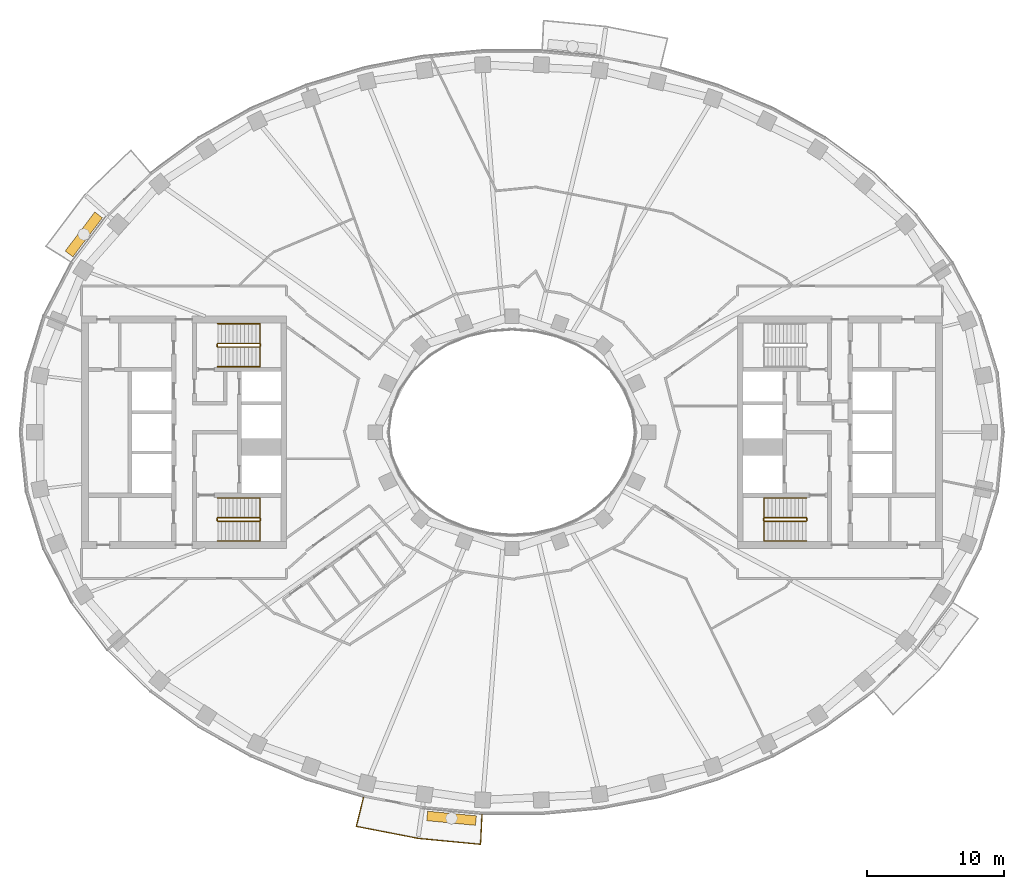
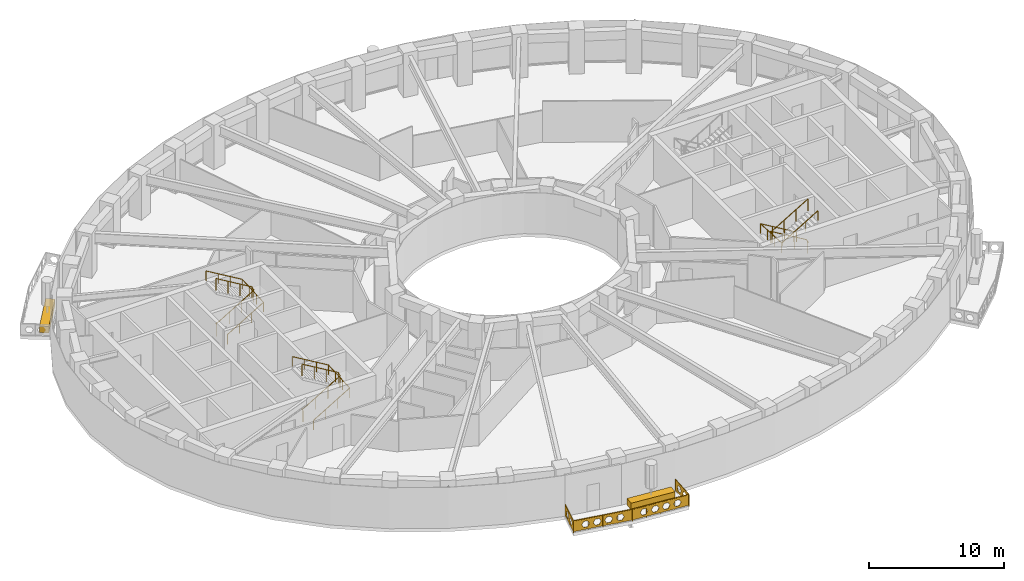
# One storey, part 14 of 16: 7 railings, 2 coverings.
"""IFC4 building model written with IfcOpenShell, lengths in metres."""

from ifc_helpers import new_model, si_unit, direction, frame, origin, origin_2d, place, context, subcontext, project, spatial, polyline, rectangle, outline, extrude, material, type_object, element, save


model = new_model("IFC4")

# Units and contexts
model_context = context("Model", 3, precision=1e-05, world=origin(), true_north=direction((0.0, 1.0)))
body_context = subcontext(model_context, "Body", "Model", "MODEL_VIEW")
ifc_project = project(units=[si_unit("LENGTHUNIT", "METRE"), si_unit("AREAUNIT", "SQUARE_METRE"), si_unit("VOLUMEUNIT", "CUBIC_METRE"), si_unit("PLANEANGLEUNIT", "RADIAN"), si_unit("MASSUNIT", "GRAM", prefix="KILO")], contexts=[model_context])

# Site, building, storey
site_placement = place(None, origin())
site = spatial("IfcSite", under=ifc_project, at=site_placement, CompositionType="ELEMENT")
building_placement = place(site_placement, origin())
building = spatial("IfcBuilding", under=site, at=building_placement, Name="Noorbagh Ring Tower", CompositionType="ELEMENT")
storey_placement = place(building_placement, frame((0.0, 0.0, 178.0)))
storey = spatial("IfcBuildingStorey", under=building, at=storey_placement, Name="L41", CompositionType="ELEMENT", Elevation=178.0)

# Railings
ifc_material_1 = material(Name="Stainless steel", Category="steel")
railing_type_1 = type_object("IfcRailingType", Name="CORE-STAIR-GUARD", PredefinedType="GUARDRAIL", material=ifc_material_1)
railing_1_placement = place(storey_placement, frame((-21.580078125, 6.300048828125, 0.0)))
element("IfcRailing", 1, at=railing_1_placement, inside=storey, type_object=railing_type_1, Name="L41 ST1 stair guard", PredefinedType="GUARDRAIL", context=body_context, shape_type="SweptSolid", body=[
    extrude(rectangle(XDim=0.048095703125, YDim=0.048095703125, at=origin_2d()), frame((0.0, 0.0, 1.076171875), z_axis=(0.0, 1.0, 0.0), x_axis=(-1.0, 0.0, 0.0)), (0.0, 0.0, 1.0), 0.14990234375),
    extrude(rectangle(XDim=0.048095703125, YDim=0.048095703125, at=origin_2d()), frame((0.0, 0.14990234375, 1.076171875), z_axis=(0.188775798145, -0.754182335027, 0.628945707965), x_axis=(0.970072785993, 0.242814311512, 0.0)), (0.0, 0.0, 1.0), 0.26513671875),
    extrude(rectangle(XDim=0.048095703125, YDim=0.048095703125, at=origin_2d()), frame((0.050048828125, -0.050048828125, 1.24267578125), z_axis=(0.859308565015, 0.0, 0.511457515432), x_axis=(0.0, 1.0, 0.0)), (0.0, 0.0, 1.0), 3.58447265625),
    extrude(rectangle(XDim=0.048095703125, YDim=0.048095703125, at=origin_2d()), frame((3.130126953125, -0.050048828125, 3.076171875), z_axis=(0.707106781187, 0.707106781187, 0.0), x_axis=(-0.707106781187, 0.707106781187, 0.0)), (0.0, 0.0, 1.0), 0.07080078125),
    extrude(rectangle(XDim=0.048095703125, YDim=0.048095703125, at=origin_2d()), frame((3.18017578125, 0.0, 3.076171875), z_axis=(0.0, 1.0, 0.0), x_axis=(-1.0, 0.0, 0.0)), (0.0, 0.0, 1.0), 0.14990234375),
    extrude(rectangle(XDim=0.048095703125, YDim=0.048095703125, at=origin_2d()), frame((3.18017578125, 0.14990234375, 3.076171875), z_axis=(-0.27628659633, 0.27628659633, 0.920506074601), x_axis=(-0.707106781187, -0.707106781187, 0.0)), (0.0, 0.0, 1.0), 0.18115234375),
    extrude(rectangle(XDim=0.048095703125, YDim=0.048095703125, at=origin_2d()), frame((3.130126953125, 0.199951171875, 3.24267578125), z_axis=(-0.859308565015, 0.0, 0.511457515432), x_axis=(0.0, -1.0, 0.0)), (0.0, 0.0, 1.0), 3.58447265625),
    extrude(rectangle(XDim=0.0419921875, YDim=0.0419921875, at=origin_2d()), origin(), (0.0, 0.0, 1.0), 1.052001953125),
    extrude(rectangle(XDim=0.0419921875, YDim=0.0419921875, at=origin_2d()), frame((1.07666015625, -0.050048828125, 0.77783203125)), (0.0, 0.0, 1.0), 1.052001953125),
    extrude(rectangle(XDim=0.0419921875, YDim=0.0419921875, at=origin_2d()), frame((2.103515625, -0.050048828125, 1.388916015625)), (0.0, 0.0, 1.0), 1.052001953125),
    extrude(rectangle(XDim=0.0419921875, YDim=0.0419921875, at=origin_2d()), frame((3.130126953125, -0.050048828125, 2.0)), (0.0, 0.0, 1.0), 1.052001953125),
    extrude(rectangle(XDim=0.0419921875, YDim=0.0419921875, at=origin_2d()), frame((3.130126953125, 0.199951171875, 2.166748046875)), (0.0, 0.0, 1.0), 1.052001953125),
    extrude(rectangle(XDim=0.0419921875, YDim=0.0419921875, at=origin_2d()), frame((2.103515625, 0.199951171875, 2.77783203125)), (0.0, 0.0, 1.0), 1.052001953125),
    extrude(rectangle(XDim=0.0419921875, YDim=0.0419921875, at=origin_2d()), frame((1.07666015625, 0.199951171875, 3.388916015625)), (0.0, 0.0, 1.0), 1.052001953125),
    extrude(rectangle(XDim=0.0419921875, YDim=0.0419921875, at=origin_2d()), frame((0.050048828125, 0.199951171875, 4.0)), (0.0, 0.0, 1.0), 1.052001953125),
])
railing_2_placement = place(storey_placement, frame((-21.580078125, -6.449951171875, 0.0)))
element("IfcRailing", 2, at=railing_2_placement, inside=storey, type_object=railing_type_1, Name="L41 ST2 stair guard", PredefinedType="GUARDRAIL", context=body_context, shape_type="SweptSolid", body=[
    extrude(rectangle(XDim=0.048095703125, YDim=0.048095703125, at=origin_2d()), frame((0.0, 0.0, 1.076171875), z_axis=(0.0, 1.0, 0.0), x_axis=(-1.0, 0.0, 0.0)), (0.0, 0.0, 1.0), 0.14990234375),
    extrude(rectangle(XDim=0.048095703125, YDim=0.048095703125, at=origin_2d()), frame((0.0, 0.14990234375, 1.076171875), z_axis=(0.188775798145, -0.754182335027, 0.628945707965), x_axis=(0.970072785993, 0.242814311512, 0.0)), (0.0, 0.0, 1.0), 0.26513671875),
    extrude(rectangle(XDim=0.048095703125, YDim=0.048095703125, at=origin_2d()), frame((0.050048828125, -0.050048828125, 1.24267578125), z_axis=(0.859308565015, 0.0, 0.511457515432), x_axis=(0.0, 1.0, 0.0)), (0.0, 0.0, 1.0), 3.58447265625),
    extrude(rectangle(XDim=0.048095703125, YDim=0.048095703125, at=origin_2d()), frame((3.130126953125, -0.050048828125, 3.076171875), z_axis=(0.707106781187, 0.707106781187, 0.0), x_axis=(-0.707106781187, 0.707106781187, 0.0)), (0.0, 0.0, 1.0), 0.07080078125),
    extrude(rectangle(XDim=0.048095703125, YDim=0.048095703125, at=origin_2d()), frame((3.18017578125, 0.0, 3.076171875), z_axis=(0.0, 1.0, 0.0), x_axis=(-1.0, 0.0, 0.0)), (0.0, 0.0, 1.0), 0.14990234375),
    extrude(rectangle(XDim=0.048095703125, YDim=0.048095703125, at=origin_2d()), frame((3.18017578125, 0.14990234375, 3.076171875), z_axis=(-0.27628659633, 0.27628659633, 0.920506074601), x_axis=(-0.707106781187, -0.707106781187, 0.0)), (0.0, 0.0, 1.0), 0.18115234375),
    extrude(rectangle(XDim=0.048095703125, YDim=0.048095703125, at=origin_2d()), frame((3.130126953125, 0.199951171875, 3.24267578125), z_axis=(-0.859308565015, 0.0, 0.511457515432), x_axis=(0.0, -1.0, 0.0)), (0.0, 0.0, 1.0), 3.58447265625),
    extrude(rectangle(XDim=0.0419921875, YDim=0.0419921875, at=origin_2d()), origin(), (0.0, 0.0, 1.0), 1.052001953125),
    extrude(rectangle(XDim=0.0419921875, YDim=0.0419921875, at=origin_2d()), frame((1.07666015625, -0.050048828125, 0.77783203125)), (0.0, 0.0, 1.0), 1.052001953125),
    extrude(rectangle(XDim=0.0419921875, YDim=0.0419921875, at=origin_2d()), frame((2.103515625, -0.050048828125, 1.388916015625)), (0.0, 0.0, 1.0), 1.052001953125),
    extrude(rectangle(XDim=0.0419921875, YDim=0.0419921875, at=origin_2d()), frame((3.130126953125, -0.050048828125, 2.0)), (0.0, 0.0, 1.0), 1.052001953125),
    extrude(rectangle(XDim=0.0419921875, YDim=0.0419921875, at=origin_2d()), frame((3.130126953125, 0.199951171875, 2.166748046875)), (0.0, 0.0, 1.0), 1.052001953125),
    extrude(rectangle(XDim=0.0419921875, YDim=0.0419921875, at=origin_2d()), frame((2.103515625, 0.199951171875, 2.77783203125)), (0.0, 0.0, 1.0), 1.052001953125),
    extrude(rectangle(XDim=0.0419921875, YDim=0.0419921875, at=origin_2d()), frame((1.07666015625, 0.199951171875, 3.388916015625)), (0.0, 0.0, 1.0), 1.052001953125),
    extrude(rectangle(XDim=0.0419921875, YDim=0.0419921875, at=origin_2d()), frame((0.050048828125, 0.199951171875, 4.0)), (0.0, 0.0, 1.0), 1.052001953125),
])
railing_3_placement = place(storey_placement, frame((21.580078125, -6.300048828125, 0.0)))
element("IfcRailing", 3, at=railing_3_placement, inside=storey, type_object=railing_type_1, Name="L41 ST4 stair guard", PredefinedType="GUARDRAIL", context=body_context, shape_type="SweptSolid", body=[
    extrude(rectangle(XDim=0.048095703125, YDim=0.048095703125, at=origin_2d()), frame((0.0, 0.0, 1.076171875), z_axis=(0.0, -1.0, 0.0), x_axis=(1.0, 0.0, 0.0)), (0.0, 0.0, 1.0), 0.14990234375),
    extrude(rectangle(XDim=0.048095703125, YDim=0.048095703125, at=origin_2d()), frame((0.0, -0.14990234375, 1.076171875), z_axis=(-0.188775798145, 0.754182335027, 0.628945707965), x_axis=(-0.970072785993, -0.242814311512, 0.0)), (0.0, 0.0, 1.0), 0.26513671875),
    extrude(rectangle(XDim=0.048095703125, YDim=0.048095703125, at=origin_2d()), frame((-0.050048828125, 0.050048828125, 1.24267578125), z_axis=(-0.859308565015, 0.0, 0.511457515432), x_axis=(0.0, -1.0, 0.0)), (0.0, 0.0, 1.0), 3.58447265625),
    extrude(rectangle(XDim=0.048095703125, YDim=0.048095703125, at=origin_2d()), frame((-3.130126953125, 0.050048828125, 3.076171875), z_axis=(-0.707106781187, -0.707106781187, 0.0), x_axis=(0.707106781187, -0.707106781187, 0.0)), (0.0, 0.0, 1.0), 0.07080078125),
    extrude(rectangle(XDim=0.048095703125, YDim=0.048095703125, at=origin_2d()), frame((-3.18017578125, 0.0, 3.076171875), z_axis=(0.0, -1.0, 0.0), x_axis=(1.0, 0.0, 0.0)), (0.0, 0.0, 1.0), 0.14990234375),
    extrude(rectangle(XDim=0.048095703125, YDim=0.048095703125, at=origin_2d()), frame((-3.18017578125, -0.14990234375, 3.076171875), z_axis=(0.27628659633, -0.27628659633, 0.920506074601), x_axis=(0.707106781187, 0.707106781187, 0.0)), (0.0, 0.0, 1.0), 0.18115234375),
    extrude(rectangle(XDim=0.048095703125, YDim=0.048095703125, at=origin_2d()), frame((-3.130126953125, -0.199951171875, 3.24267578125), z_axis=(0.859308565015, 0.0, 0.511457515432), x_axis=(0.0, 1.0, 0.0)), (0.0, 0.0, 1.0), 3.58447265625),
    extrude(rectangle(XDim=0.0419921875, YDim=0.0419921875, at=origin_2d()), origin(), (0.0, 0.0, 1.0), 1.052001953125),
    extrude(rectangle(XDim=0.0419921875, YDim=0.0419921875, at=origin_2d()), frame((-1.07666015625, 0.050048828125, 0.77783203125)), (0.0, 0.0, 1.0), 1.052001953125),
    extrude(rectangle(XDim=0.0419921875, YDim=0.0419921875, at=origin_2d()), frame((-2.103515625, 0.050048828125, 1.388916015625)), (0.0, 0.0, 1.0), 1.052001953125),
    extrude(rectangle(XDim=0.0419921875, YDim=0.0419921875, at=origin_2d()), frame((-3.130126953125, 0.050048828125, 2.0)), (0.0, 0.0, 1.0), 1.052001953125),
    extrude(rectangle(XDim=0.0419921875, YDim=0.0419921875, at=origin_2d()), frame((-3.130126953125, -0.199951171875, 2.166748046875)), (0.0, 0.0, 1.0), 1.052001953125),
    extrude(rectangle(XDim=0.0419921875, YDim=0.0419921875, at=origin_2d()), frame((-2.103515625, -0.199951171875, 2.77783203125)), (0.0, 0.0, 1.0), 1.052001953125),
    extrude(rectangle(XDim=0.0419921875, YDim=0.0419921875, at=origin_2d()), frame((-1.07666015625, -0.199951171875, 3.388916015625)), (0.0, 0.0, 1.0), 1.052001953125),
    extrude(rectangle(XDim=0.0419921875, YDim=0.0419921875, at=origin_2d()), frame((-0.050048828125, -0.199951171875, 4.0)), (0.0, 0.0, 1.0), 1.052001953125),
])
ifc_material_2 = material(Name="Stainless steel", Category="steel")
railing_type_2 = type_object("IfcRailingType", Name="CORE-STAIR-HANDRAIL", PredefinedType="HANDRAIL", material=ifc_material_2)
railing_4_placement = place(storey_placement, frame((-21.530029296875, 4.800048828125, 0.166748046875)))
element("IfcRailing", 4, at=railing_4_placement, inside=storey, type_object=railing_type_2, Name="L41 ST1 stair handrail", PredefinedType="HANDRAIL", context=body_context, shape_type="SweptSolid", body=[
    extrude(rectangle(XDim=0.048095703125, YDim=0.048095703125, at=origin_2d()), frame((0.0, 0.0, 0.8759765625), z_axis=(0.859308565015, 0.0, 0.511457515432), x_axis=(0.0, 1.0, 0.0)), (0.0, 0.0, 1.0), 3.58447265625),
    extrude(rectangle(XDim=0.048095703125, YDim=0.048095703125, at=origin_2d()), frame((3.080078125, 0.0, 2.708984375), z_axis=(0.0, 0.998601747152, 0.052863509014), x_axis=(-1.0, 0.0, 0.0)), (0.0, 0.0, 1.0), 3.154296875),
    extrude(rectangle(XDim=0.048095703125, YDim=0.048095703125, at=origin_2d()), frame((3.080078125, 3.14990234375, 2.8759765625), z_axis=(-0.859308565015, 0.0, 0.511457515432), x_axis=(0.0, -1.0, 0.0)), (0.0, 0.0, 1.0), 3.58447265625),
    extrude(rectangle(XDim=0.0419921875, YDim=0.0419921875, at=origin_2d()), origin(), (0.0, 0.0, 1.0), 0.851806640625),
    extrude(rectangle(XDim=0.0419921875, YDim=0.0419921875, at=origin_2d()), frame((1.026611328125, 0.0, 0.611083984375)), (0.0, 0.0, 1.0), 0.851806640625),
    extrude(rectangle(XDim=0.0419921875, YDim=0.0419921875, at=origin_2d()), frame((2.053466796875, 0.0, 1.22216796875)), (0.0, 0.0, 1.0), 0.851806640625),
    extrude(rectangle(XDim=0.0419921875, YDim=0.0419921875, at=origin_2d()), frame((3.080078125, 0.0, 1.833251953125)), (0.0, 0.0, 1.0), 0.851806640625),
    extrude(rectangle(XDim=0.0419921875, YDim=0.0419921875, at=origin_2d()), frame((3.080078125, 1.050048828125, 1.888916015625)), (0.0, 0.0, 1.0), 0.851806640625),
    extrude(rectangle(XDim=0.0419921875, YDim=0.0419921875, at=origin_2d()), frame((3.080078125, 2.099853515625, 1.9443359375)), (0.0, 0.0, 1.0), 0.851806640625),
    extrude(rectangle(XDim=0.0419921875, YDim=0.0419921875, at=origin_2d()), frame((3.080078125, 3.14990234375, 2.0)), (0.0, 0.0, 1.0), 0.851806640625),
    extrude(rectangle(XDim=0.0419921875, YDim=0.0419921875, at=origin_2d()), frame((2.053466796875, 3.14990234375, 2.611083984375)), (0.0, 0.0, 1.0), 0.851806640625),
    extrude(rectangle(XDim=0.0419921875, YDim=0.0419921875, at=origin_2d()), frame((1.026611328125, 3.14990234375, 3.22216796875)), (0.0, 0.0, 1.0), 0.851806640625),
    extrude(rectangle(XDim=0.0419921875, YDim=0.0419921875, at=origin_2d()), frame((0.0, 3.14990234375, 3.833251953125)), (0.0, 0.0, 1.0), 0.851806640625),
])
railing_5_placement = place(storey_placement, frame((-21.530029296875, -7.949951171875, 0.166748046875)))
element("IfcRailing", 5, at=railing_5_placement, inside=storey, type_object=railing_type_2, Name="L41 ST2 stair handrail", PredefinedType="HANDRAIL", context=body_context, shape_type="SweptSolid", body=[
    extrude(rectangle(XDim=0.048095703125, YDim=0.048095703125, at=origin_2d()), frame((0.0, 0.0, 0.8759765625), z_axis=(0.859308565015, 0.0, 0.511457515432), x_axis=(0.0, 1.0, 0.0)), (0.0, 0.0, 1.0), 3.58447265625),
    extrude(rectangle(XDim=0.048095703125, YDim=0.048095703125, at=origin_2d()), frame((3.080078125, 0.0, 2.708984375), z_axis=(0.0, 0.998601747152, 0.052863509014), x_axis=(-1.0, 0.0, 0.0)), (0.0, 0.0, 1.0), 3.154296875),
    extrude(rectangle(XDim=0.048095703125, YDim=0.048095703125, at=origin_2d()), frame((3.080078125, 3.14990234375, 2.8759765625), z_axis=(-0.859308565015, 0.0, 0.511457515432), x_axis=(0.0, -1.0, 0.0)), (0.0, 0.0, 1.0), 3.58447265625),
    extrude(rectangle(XDim=0.0419921875, YDim=0.0419921875, at=origin_2d()), origin(), (0.0, 0.0, 1.0), 0.851806640625),
    extrude(rectangle(XDim=0.0419921875, YDim=0.0419921875, at=origin_2d()), frame((1.026611328125, 0.0, 0.611083984375)), (0.0, 0.0, 1.0), 0.851806640625),
    extrude(rectangle(XDim=0.0419921875, YDim=0.0419921875, at=origin_2d()), frame((2.053466796875, 0.0, 1.22216796875)), (0.0, 0.0, 1.0), 0.851806640625),
    extrude(rectangle(XDim=0.0419921875, YDim=0.0419921875, at=origin_2d()), frame((3.080078125, 0.0, 1.833251953125)), (0.0, 0.0, 1.0), 0.851806640625),
    extrude(rectangle(XDim=0.0419921875, YDim=0.0419921875, at=origin_2d()), frame((3.080078125, 1.050048828125, 1.888916015625)), (0.0, 0.0, 1.0), 0.851806640625),
    extrude(rectangle(XDim=0.0419921875, YDim=0.0419921875, at=origin_2d()), frame((3.080078125, 2.099853515625, 1.9443359375)), (0.0, 0.0, 1.0), 0.851806640625),
    extrude(rectangle(XDim=0.0419921875, YDim=0.0419921875, at=origin_2d()), frame((3.080078125, 3.14990234375, 2.0)), (0.0, 0.0, 1.0), 0.851806640625),
    extrude(rectangle(XDim=0.0419921875, YDim=0.0419921875, at=origin_2d()), frame((2.053466796875, 3.14990234375, 2.611083984375)), (0.0, 0.0, 1.0), 0.851806640625),
    extrude(rectangle(XDim=0.0419921875, YDim=0.0419921875, at=origin_2d()), frame((1.026611328125, 3.14990234375, 3.22216796875)), (0.0, 0.0, 1.0), 0.851806640625),
    extrude(rectangle(XDim=0.0419921875, YDim=0.0419921875, at=origin_2d()), frame((0.0, 3.14990234375, 3.833251953125)), (0.0, 0.0, 1.0), 0.851806640625),
])
railing_6_placement = place(storey_placement, frame((21.530029296875, -4.800048828125, 0.166748046875)))
element("IfcRailing", 6, at=railing_6_placement, inside=storey, type_object=railing_type_2, Name="L41 ST4 stair handrail", PredefinedType="HANDRAIL", context=body_context, shape_type="SweptSolid", body=[
    extrude(rectangle(XDim=0.048095703125, YDim=0.048095703125, at=origin_2d()), frame((0.0, 0.0, 0.8759765625), z_axis=(-0.859308565015, 0.0, 0.511457515432), x_axis=(0.0, -1.0, 0.0)), (0.0, 0.0, 1.0), 3.58447265625),
    extrude(rectangle(XDim=0.048095703125, YDim=0.048095703125, at=origin_2d()), frame((-3.080078125, 0.0, 2.708984375), z_axis=(0.0, -0.998601747152, 0.052863509014), x_axis=(1.0, 0.0, 0.0)), (0.0, 0.0, 1.0), 3.154296875),
    extrude(rectangle(XDim=0.048095703125, YDim=0.048095703125, at=origin_2d()), frame((-3.080078125, -3.14990234375, 2.8759765625), z_axis=(0.859308565015, 0.0, 0.511457515432), x_axis=(0.0, 1.0, 0.0)), (0.0, 0.0, 1.0), 3.58447265625),
    extrude(rectangle(XDim=0.0419921875, YDim=0.0419921875, at=origin_2d()), origin(), (0.0, 0.0, 1.0), 0.851806640625),
    extrude(rectangle(XDim=0.0419921875, YDim=0.0419921875, at=origin_2d()), frame((-1.026611328125, 0.0, 0.611083984375)), (0.0, 0.0, 1.0), 0.851806640625),
    extrude(rectangle(XDim=0.0419921875, YDim=0.0419921875, at=origin_2d()), frame((-2.053466796875, 0.0, 1.22216796875)), (0.0, 0.0, 1.0), 0.851806640625),
    extrude(rectangle(XDim=0.0419921875, YDim=0.0419921875, at=origin_2d()), frame((-3.080078125, 0.0, 1.833251953125)), (0.0, 0.0, 1.0), 0.851806640625),
    extrude(rectangle(XDim=0.0419921875, YDim=0.0419921875, at=origin_2d()), frame((-3.080078125, -1.050048828125, 1.888916015625)), (0.0, 0.0, 1.0), 0.851806640625),
    extrude(rectangle(XDim=0.0419921875, YDim=0.0419921875, at=origin_2d()), frame((-3.080078125, -2.099853515625, 1.9443359375)), (0.0, 0.0, 1.0), 0.851806640625),
    extrude(rectangle(XDim=0.0419921875, YDim=0.0419921875, at=origin_2d()), frame((-3.080078125, -3.14990234375, 2.0)), (0.0, 0.0, 1.0), 0.851806640625),
    extrude(rectangle(XDim=0.0419921875, YDim=0.0419921875, at=origin_2d()), frame((-2.053466796875, -3.14990234375, 2.611083984375)), (0.0, 0.0, 1.0), 0.851806640625),
    extrude(rectangle(XDim=0.0419921875, YDim=0.0419921875, at=origin_2d()), frame((-1.026611328125, -3.14990234375, 3.22216796875)), (0.0, 0.0, 1.0), 0.851806640625),
    extrude(rectangle(XDim=0.0419921875, YDim=0.0419921875, at=origin_2d()), frame((0.0, -3.14990234375, 3.833251953125)), (0.0, 0.0, 1.0), 0.851806640625),
])
ifc_material_3 = material(Name="Steel S275 black powder-coated", Category="steel")
railing_type_3 = type_object("IfcRailingType", Name="ENV-GUARD", PredefinedType="GUARDRAIL", material=ifc_material_3)
railing_7_placement = place(storey_placement, frame((-10.865234375, -26.6943359375, 0.0)))
element("IfcRailing", 7, at=railing_7_placement, inside=storey, type_object=railing_type_3, Name="Balcony guard BS03", PredefinedType="GUARDRAIL", context=body_context, shape_type="SweptSolid", body=[
    extrude(rectangle(XDim=0.048095703125, YDim=0.048095703125, at=origin_2d()), frame((0.0, 0.0, 1.076171875), z_axis=(-0.239848558412, -0.970810315679, 0.0), x_axis=(0.970810315679, -0.239848558412, 0.0)), (0.0, 0.0, 1.0), 2.20263671875),
    extrude(rectangle(XDim=0.048095703125, YDim=0.048095703125, at=origin_2d()), frame((-0.5283203125, -2.138427734375, 1.076171875), z_axis=(0.981625049064, -0.1908199755, 0.0), x_axis=(0.1908199755, 0.981625049064, 0.0)), (0.0, 0.0, 1.0), 4.603271484375),
    extrude(rectangle(XDim=0.048095703125, YDim=0.048095703125, at=origin_2d()), frame((3.990478515625, -3.016845703125, 1.076171875), z_axis=(0.995477555764, -0.094997031379, 0.0), x_axis=(0.094997031379, 0.995477555764, 0.0)), (0.0, 0.0, 1.0), 4.59765625),
    extrude(rectangle(XDim=0.048095703125, YDim=0.048095703125, at=origin_2d()), frame((8.5673828125, -3.45361328125, 1.076171875), z_axis=(0.047554616162, 0.998868639252, 0.0), x_axis=(-0.998868639252, 0.047554616162, 0.0)), (0.0, 0.0, 1.0), 2.202392578125),
    extrude(rectangle(XDim=0.0419921875, YDim=0.0419921875, at=origin_2d()), origin(), (0.0, 0.0, 1.0), 1.052001953125),
    extrude(rectangle(XDim=0.0419921875, YDim=0.0419921875, at=origin_2d()), frame((-0.26416015625, -1.0693359375, 0.0)), (0.0, 0.0, 1.0), 1.052001953125),
    extrude(rectangle(XDim=0.0419921875, YDim=0.0419921875, at=origin_2d()), frame((-0.5283203125, -2.138427734375, 0.0)), (0.0, 0.0, 1.0), 1.052001953125),
    extrude(rectangle(XDim=0.0419921875, YDim=0.0419921875, at=origin_2d()), frame((0.601318359375, -2.35791015625, 0.0)), (0.0, 0.0, 1.0), 1.052001953125),
    extrude(rectangle(XDim=0.0419921875, YDim=0.0419921875, at=origin_2d()), frame((1.73095703125, -2.57763671875, 0.0)), (0.0, 0.0, 1.0), 1.052001953125),
    extrude(rectangle(XDim=0.0419921875, YDim=0.0419921875, at=origin_2d()), frame((2.86083984375, -2.79736328125, 0.0)), (0.0, 0.0, 1.0), 1.052001953125),
    extrude(rectangle(XDim=0.0419921875, YDim=0.0419921875, at=origin_2d()), frame((3.990478515625, -3.016845703125, 0.0)), (0.0, 0.0, 1.0), 1.052001953125),
    extrude(rectangle(XDim=0.0419921875, YDim=0.0419921875, at=origin_2d()), frame((5.134765625, -3.1259765625, 0.0)), (0.0, 0.0, 1.0), 1.052001953125),
    extrude(rectangle(XDim=0.0419921875, YDim=0.0419921875, at=origin_2d()), frame((6.27880859375, -3.2353515625, 0.0)), (0.0, 0.0, 1.0), 1.052001953125),
    extrude(rectangle(XDim=0.0419921875, YDim=0.0419921875, at=origin_2d()), frame((7.423095703125, -3.344482421875, 0.0)), (0.0, 0.0, 1.0), 1.052001953125),
    extrude(rectangle(XDim=0.0419921875, YDim=0.0419921875, at=origin_2d()), frame((8.5673828125, -3.45361328125, 0.0)), (0.0, 0.0, 1.0), 1.052001953125),
    extrude(rectangle(XDim=0.0419921875, YDim=0.0419921875, at=origin_2d()), frame((8.61962890625, -2.353515625, 0.0)), (0.0, 0.0, 1.0), 1.052001953125),
    extrude(rectangle(XDim=0.0419921875, YDim=0.0419921875, at=origin_2d()), frame((8.672119140625, -1.253662109375, 0.0)), (0.0, 0.0, 1.0), 1.052001953125),
    extrude(outline(polyline([(0.0, 0.10009765625), (2.20263671875, 0.10009765625), (2.20263671875, 1.031982421875), (0.0, 1.031982421875), (0.0, 0.10009765625)]), holes=[polyline([(0.96142578125, 0.56591796875), (0.806396484375, 0.83447265625), (0.496337890625, 0.83447265625), (0.34130859375, 0.56591796875), (0.496337890625, 0.297607421875), (0.806396484375, 0.297607421875), (0.96142578125, 0.56591796875)]), polyline([(1.861328125, 0.56591796875), (1.706298828125, 0.83447265625), (1.396240234375, 0.83447265625), (1.241455078125, 0.56591796875), (1.396240234375, 0.297607421875), (1.706298828125, 0.297607421875), (1.861328125, 0.56591796875)])]), frame((0.009765625, -0.00244140625, 0.0), z_axis=(-0.970810315679, 0.239848558412, 0.0), x_axis=(-0.239848558412, -0.970810315679, 0.0)), (0.0, 0.0, 1.0), 0.02001953125),
    extrude(outline(polyline([(0.0, 0.10009765625), (4.603271484375, 0.10009765625), (4.603271484375, 1.031982421875), (0.0, 1.031982421875), (0.0, 0.10009765625)]), holes=[polyline([(1.26171875, 0.56591796875), (1.106689453125, 0.83447265625), (0.796630859375, 0.83447265625), (0.6416015625, 0.56591796875), (0.796630859375, 0.297607421875), (1.106689453125, 0.297607421875), (1.26171875, 0.56591796875)]), polyline([(2.16162109375, 0.56591796875), (2.006591796875, 0.83447265625), (1.69677734375, 0.83447265625), (1.541748046875, 0.56591796875), (1.69677734375, 0.297607421875), (2.006591796875, 0.297607421875), (2.16162109375, 0.56591796875)]), polyline([(3.061767578125, 0.56591796875), (2.90673828125, 0.83447265625), (2.5966796875, 0.83447265625), (2.441650390625, 0.56591796875), (2.5966796875, 0.297607421875), (2.90673828125, 0.297607421875), (3.061767578125, 0.56591796875)]), polyline([(3.961669921875, 0.56591796875), (3.806640625, 0.83447265625), (3.49658203125, 0.83447265625), (3.341796875, 0.56591796875), (3.49658203125, 0.297607421875), (3.806640625, 0.297607421875), (3.961669921875, 0.56591796875)])]), frame((-0.5263671875, -2.128662109375, 0.0), z_axis=(-0.1908199755, -0.981625049064, 0.0), x_axis=(0.981625049064, -0.1908199755, 0.0)), (0.0, 0.0, 1.0), 0.02001953125),
    extrude(outline(polyline([(0.0, 0.10009765625), (4.59765625, 0.10009765625), (4.59765625, 1.031982421875), (0.0, 1.031982421875), (0.0, 0.10009765625)]), holes=[polyline([(1.2587890625, 0.56591796875), (1.103759765625, 0.83447265625), (0.7939453125, 0.83447265625), (0.638916015625, 0.56591796875), (0.7939453125, 0.297607421875), (1.103759765625, 0.297607421875), (1.2587890625, 0.56591796875)]), polyline([(2.158935546875, 0.56591796875), (2.00390625, 0.83447265625), (1.69384765625, 0.83447265625), (1.538818359375, 0.56591796875), (1.69384765625, 0.297607421875), (2.00390625, 0.297607421875), (2.158935546875, 0.56591796875)]), polyline([(3.058837890625, 0.56591796875), (2.90380859375, 0.83447265625), (2.59375, 0.83447265625), (2.43896484375, 0.56591796875), (2.59375, 0.297607421875), (2.90380859375, 0.297607421875), (3.058837890625, 0.56591796875)]), polyline([(3.958740234375, 0.56591796875), (3.803955078125, 0.83447265625), (3.493896484375, 0.83447265625), (3.3388671875, 0.56591796875), (3.493896484375, 0.297607421875), (3.803955078125, 0.297607421875), (3.958740234375, 0.56591796875)])]), frame((3.991455078125, -3.0068359375, 0.0), z_axis=(-0.094997031379, -0.995477555764, 0.0), x_axis=(0.995477555764, -0.094997031379, 0.0)), (0.0, 0.0, 1.0), 0.02001953125),
    extrude(outline(polyline([(0.0, 0.10009765625), (2.202392578125, 0.10009765625), (2.202392578125, 1.031982421875), (0.0, 1.031982421875), (0.0, 0.10009765625)]), holes=[polyline([(0.961181640625, 0.56591796875), (0.80615234375, 0.83447265625), (0.496337890625, 0.83447265625), (0.34130859375, 0.56591796875), (0.496337890625, 0.297607421875), (0.80615234375, 0.297607421875), (0.961181640625, 0.56591796875)]), polyline([(1.861328125, 0.56591796875), (1.706298828125, 0.83447265625), (1.396240234375, 0.83447265625), (1.2412109375, 0.56591796875), (1.396240234375, 0.297607421875), (1.706298828125, 0.297607421875), (1.861328125, 0.56591796875)])]), frame((8.557373046875, -3.453125, 0.0), z_axis=(0.998868639252, -0.047554616162, 0.0), x_axis=(0.047554616162, 0.998868639252, 0.0)), (0.0, 0.0, 1.0), 0.02001953125),
])

# Coverings
ifc_material_4 = material(Name="Concrete C30/37 planter with soil", Category="concrete")
covering_type = type_object("IfcCoveringType", Name="ENV-PLANTER", PredefinedType="CLADDING", material=ifc_material_4)
covering_1_placement = place(storey_placement, frame((-31.329833984375, 14.4833984375, 0.0), z_axis=(0.0, 0.0, 1.0), x_axis=(-0.604020184358, -0.796969018776, 0.0)))
element("IfcCovering", 8, at=covering_1_placement, inside=storey, type_object=covering_type, Name="PLANTER BN06", ObjectType="PLANTER", PredefinedType="CLADDING", context=body_context, shape_type="SweptSolid", body=[
    extrude(rectangle(XDim=3.583251953125, YDim=0.699951171875, at=origin_2d()), origin(), (0.0, 0.0, 1.0), 0.60009765625),
])
covering_2_placement = place(storey_placement, frame((-4.423828125, -28.2373046875, 0.0), z_axis=(0.0, 0.0, 1.0), x_axis=(0.995476497323, -0.095008122171, 0.0)))
element("IfcCovering", 9, at=covering_2_placement, inside=storey, type_object=covering_type, Name="PLANTER BS03", ObjectType="PLANTER", PredefinedType="CLADDING", context=body_context, shape_type="SweptSolid", body=[
    extrude(rectangle(XDim=3.58642578125, YDim=0.699951171875, at=origin_2d()), origin(), (0.0, 0.0, 1.0), 0.60009765625),
])

save(model, "model.ifc")
